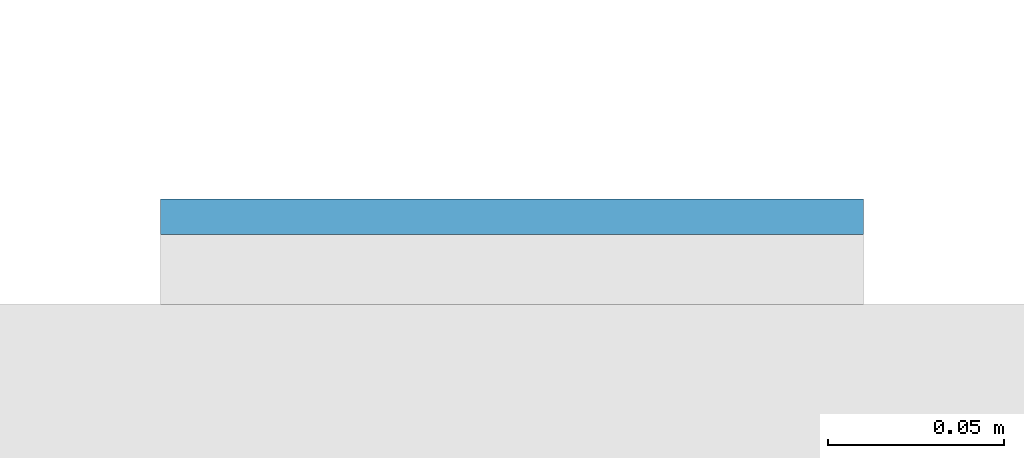
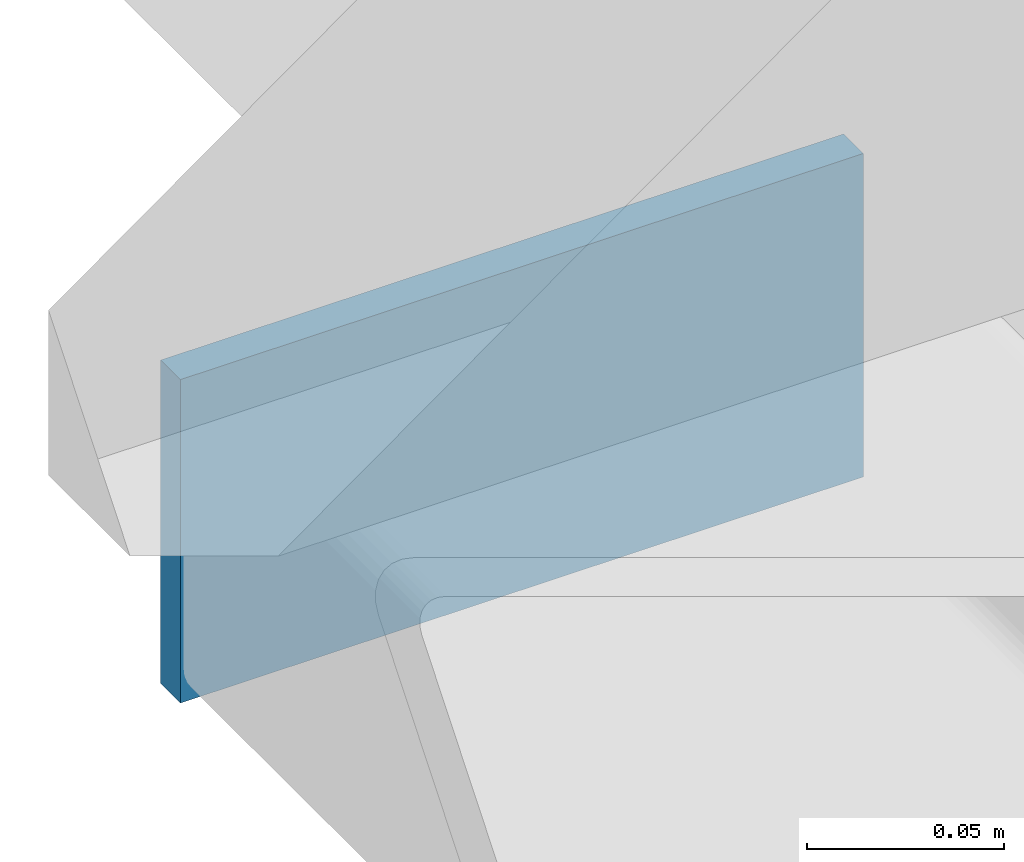
# One storey, part 9 of 20: 1 plate.
"""IFC4 building model written with IfcOpenShell, lengths in metres."""

from ifc_helpers import new_model, si_unit, direction, frame, origin, origin_2d, place, context, subcontext, project, spatial, rectangle, extrude, material, layer, layer_set, type_object, element, save


model = new_model("IFC4")

# Units and contexts
model_context = context("Model", 3, precision=1e-05, world=origin(), true_north=direction((0.0, 1.0)))
body_context = subcontext(model_context, "Body", "Model", "MODEL_VIEW")
ifc_project = project(units=[si_unit("LENGTHUNIT", "METRE"), si_unit("AREAUNIT", "SQUARE_METRE"), si_unit("VOLUMEUNIT", "CUBIC_METRE"), si_unit("PLANEANGLEUNIT", "RADIAN"), si_unit("MASSUNIT", "GRAM", prefix="KILO")], contexts=[model_context])

# Site, building, storey
site_placement = place(None, origin())
site = spatial("IfcSite", under=ifc_project, at=site_placement, CompositionType="ELEMENT")
building_placement = place(site_placement, origin())
building = spatial("IfcBuilding", under=site, at=building_placement, Name="Cleftline Residences", CompositionType="ELEMENT")
storey_placement = place(building_placement, frame((0.0, 0.0, 117.800048828125)))
storey = spatial("IfcBuildingStorey", under=building, at=storey_placement, Name="L30", CompositionType="ELEMENT", Elevation=117.800048828125)

# Plate
ifc_material = material(Name="Steel S355, hot-dip galvanised", Category="steel")
ifc_layer = layer(ifc_material, 0.010009765625)
ifc_layer_set = layer_set([ifc_layer], Name="BAGUETTE CARRIER END PLATE 200X100X10")
plate_type = type_object("IfcPlateType", Name="BAGUETTE CARRIER END PLATE 200X100X10", PredefinedType="USERDEFINED", material=ifc_layer_set)
plate_placement = place(storey_placement, frame((-0.85009765625, 44.304931640625, -0.10009765625), z_axis=(0.0, 0.0, 1.0), x_axis=(-1.0, 0.0, 0.0)))
element("IfcPlate", 1, at=plate_placement, inside=storey, type_object=plate_type, Name="Baguette carrier end plate", ObjectType="BAGUETTE CARRIER END PLATE", PredefinedType="USERDEFINED", context=body_context, shape_type="SweptSolid", body=[
    extrude(rectangle(XDim=0.199951171875, YDim=0.010009765625, at=origin_2d()), origin(), (0.0, 0.0, 1.0), 0.10009765625),
])

save(model, "model.ifc")
